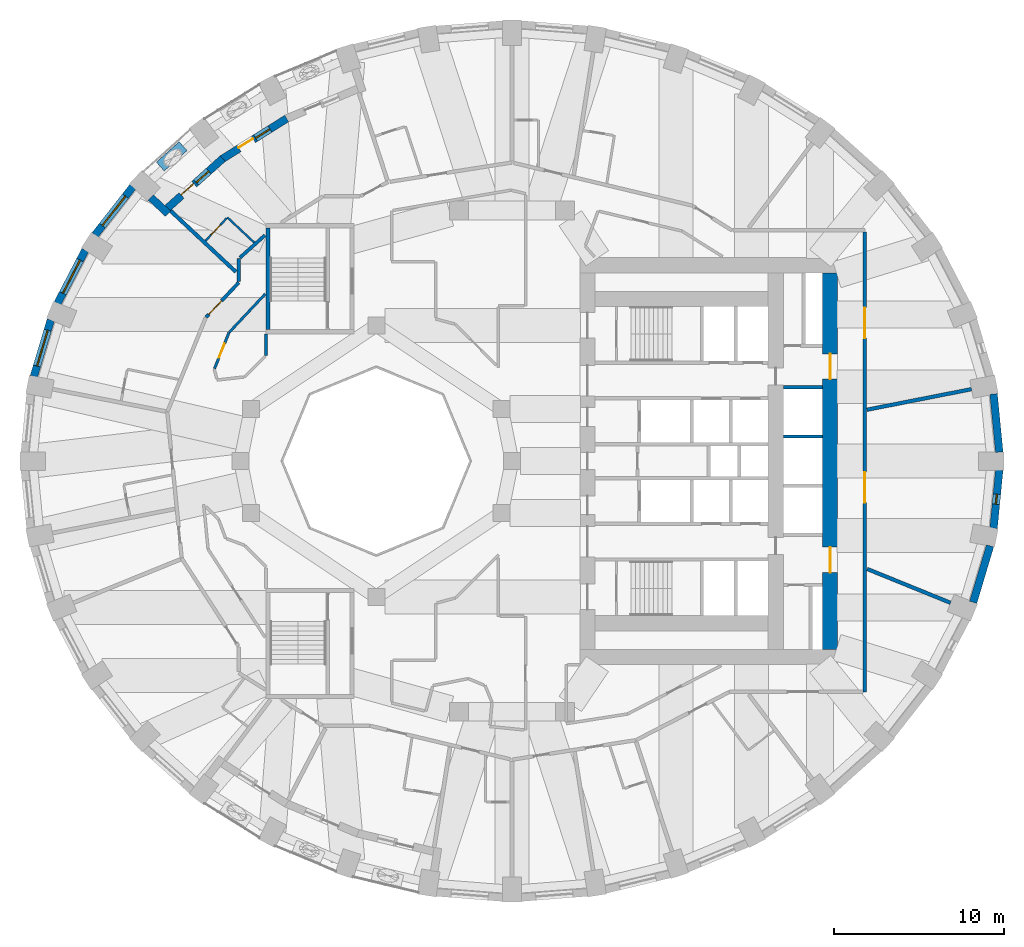
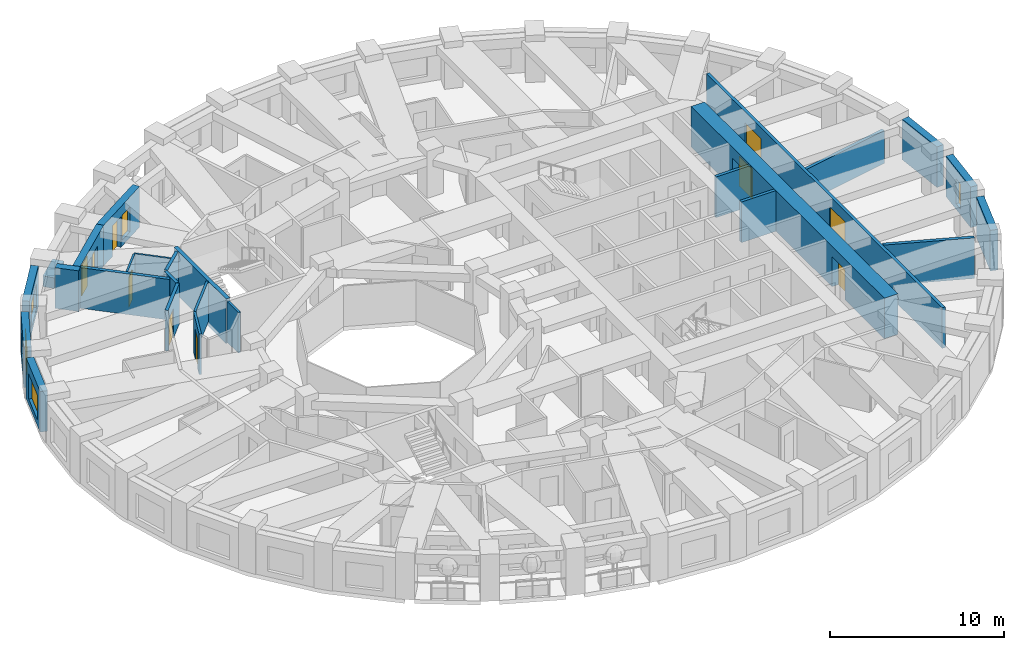
# One storey, part 7 of 13: 26 walls, 9 doors, 6 windows, 15 openings.
"""IFC4 building model written with IfcOpenShell, lengths in metres."""

import ifcopenshell
import ifcopenshell.guid

model = None  # the IFC model being written
_history = None  # IfcOwnerHistory: only IFC2X3 demands one
_inside = {}  # id of a spatial element -> (the spatial element, [elements in it])
_under = {}  # id of a project, library or spatial element -> (it, [spatial elements below it])
_declared = {}  # id of a project -> (the project, [libraries it declares])
_typed = {}  # id of a type object -> (the type object, [elements of that type])
_made_of = {}  # id of a material, layer set ... -> (it, [elements and type objects made of it])


def new_model(schema):
    """Start an empty IFC model of exactly this schema.

    Asked for "IFC4X3", IfcOpenShell would pick the latest addendum, in which some entities
    have other attributes; the version numbers below select the first issue.
    IFC2X3 requires an IfcOwnerHistory on every rooted entity: one is made here for all.
    """
    global model, _history
    if schema == "IFC4X3":
        model = ifcopenshell.file(schema_version=(4, 3, 0, 0))
    else:
        model = ifcopenshell.file(schema=schema)
    _inside.clear()
    _under.clear()
    _declared.clear()
    _typed.clear()
    _made_of.clear()
    _history = None
    if model.schema == "IFC2X3":
        org = make("IfcOrganization", Name="unknown")
        user = make(
            "IfcPersonAndOrganization",
            ThePerson=make("IfcPerson", FamilyName="unknown"),
            TheOrganization=org,
        )
        app = make(
            "IfcApplication",
            ApplicationDeveloper=org,
            Version="unknown",
            ApplicationFullName="unknown",
            ApplicationIdentifier="unknown",
        )
        _history = make(
            "IfcOwnerHistory",
            OwningUser=user,
            OwningApplication=app,
            ChangeAction="ADDED",
            CreationDate=0,
        )
    return model


def make(cls, **values):
    """One entity of the class cls with the attributes given. An attribute that is None is left unset."""
    return model.create_entity(
        cls, **{name: value for name, value in values.items() if value is not None}
    )


def rooted(cls, **values):
    """An entity with a GlobalId (a new one), such as an element, a storey or a relation."""
    return make(cls, GlobalId=ifcopenshell.guid.new(), OwnerHistory=_history, **values)


def si_unit(unit_type, name, prefix=None):
    """IfcSIUnit, for example si_unit("LENGTHUNIT", "METRE", prefix="MILLI")."""
    return make("IfcSIUnit", UnitType=unit_type, Prefix=prefix, Name=name)


def assignment(units):
    """IfcUnitAssignment: the units of a project."""
    return None if units is None else make("IfcUnitAssignment", Units=units)


def point(xyz):
    """IfcCartesianPoint."""
    return None if xyz is None else make("IfcCartesianPoint", Coordinates=xyz)


def direction(xyz):
    """IfcDirection."""
    return None if xyz is None else make("IfcDirection", DirectionRatios=xyz)


def frame(location, z_axis=None, x_axis=None):
    """IfcAxis2Placement3D, a coordinate frame: its origin and axes. An axis left out is left unset."""
    return make(
        "IfcAxis2Placement3D",
        Location=point(location),
        Axis=direction(z_axis),
        RefDirection=direction(x_axis),
    )


def frame_2d(location, x_axis=None):
    """IfcAxis2Placement2D, a coordinate frame in the plane: its origin and x axis."""
    return make(
        "IfcAxis2Placement2D", Location=point(location), RefDirection=direction(x_axis)
    )


def origin():
    """The frame at (0, 0, 0) with its axes left unset."""
    return frame((0.0, 0.0, 0.0))


def place(relative_to, where):
    """IfcLocalPlacement: puts the frame where relative to a parent placement (None: the world)."""
    return make(
        "IfcLocalPlacement", PlacementRelTo=relative_to, RelativePlacement=where
    )


def context(
    kind, dimensions, precision=None, world=None, true_north=None, identifier=None
):
    """IfcGeometricRepresentationContext, for example the 3D "Model" context."""
    return make(
        "IfcGeometricRepresentationContext",
        ContextIdentifier=identifier,
        ContextType=kind,
        CoordinateSpaceDimension=dimensions,
        Precision=precision,
        WorldCoordinateSystem=world,
        TrueNorth=true_north,
    )


def subcontext(parent, identifier, kind, view, scale=None):
    """IfcGeometricRepresentationSubContext, for example "Body" below "Model"."""
    return make(
        "IfcGeometricRepresentationSubContext",
        ContextIdentifier=identifier,
        ContextType=kind,
        ParentContext=parent,
        TargetScale=scale,
        TargetView=view,
    )


def project(units=None, contexts=None):
    """IfcProject with its units and contexts."""
    return rooted(
        "IfcProject",
        Name="project",
        RepresentationContexts=contexts,
        UnitsInContext=assignment(units),
    )


def spatial(cls, under=None, at=None, **own):
    """A site, building, storey or space (cls), placed at a placement, below another one or the project."""
    s = rooted(cls, ObjectPlacement=at, **own)
    if under is not None:
        _under.setdefault(under.id(), (under, []))[1].append(s)
    return s


def profile(cls, at=None, kind="AREA", **sizes):
    """A parametric profile (cls). Its sizes go by their IFC names, for example OverallWidth=200.0."""
    return make(cls, ProfileType=kind, Position=at, **sizes)


def rectangle(**sizes):
    """IfcRectangleProfileDef."""
    return profile("IfcRectangleProfileDef", **sizes)


def extrude(swept, where, along, depth):
    """IfcExtrudedAreaSolid: the profile swept, set in the frame where, extruded along a direction by depth."""
    return make(
        "IfcExtrudedAreaSolid",
        SweptArea=swept,
        Position=where,
        ExtrudedDirection=direction(along),
        Depth=depth,
    )


def shape(context_of_items, identifier, shape_type, items):
    """IfcShapeRepresentation: the items that make up one representation, for example the "Body"."""
    return make(
        "IfcShapeRepresentation",
        ContextOfItems=context_of_items,
        RepresentationIdentifier=identifier,
        RepresentationType=shape_type,
        Items=items,
    )


def material(Name=None, Category=None):
    """IfcMaterial."""
    return make("IfcMaterial", Name=Name, Category=Category)


def layer(
    of_material, thickness, ventilated=None, Name=None, Category=None, Priority=None
):
    """IfcMaterialLayer: one layer of a wall or slab, of a material (None: an air gap)."""
    return make(
        "IfcMaterialLayer",
        Material=of_material,
        LayerThickness=thickness,
        IsVentilated=ventilated,
        Name=Name,
        Category=Category,
        Priority=Priority,
    )


def layer_set(layers, Name=None):
    """IfcMaterialLayerSet."""
    return make("IfcMaterialLayerSet", MaterialLayers=layers, LayerSetName=Name)


def constituent(of_material, Name=None, Category=None, fraction=None):
    """IfcMaterialConstituent: one of the materials an element consists of."""
    return make(
        "IfcMaterialConstituent",
        Name=Name,
        Material=of_material,
        Fraction=fraction,
        Category=Category,
    )


def constituent_set(constituents=None, Name=None):
    """IfcMaterialConstituentSet."""
    return make(
        "IfcMaterialConstituentSet", Name=Name, MaterialConstituents=constituents
    )


def made_of(thing, what):
    """Note that an element or type object is made of a material, layer set ...; save() writes the relation."""
    if what is not None:
        _made_of.setdefault(what.id(), (what, []))[1].append(thing)
    return thing


def type_object(cls, material=None, **own):
    """A type object (cls), such as IfcWallType, which elements share."""
    return made_of(rooted(cls, **own), material)


def element(
    cls,
    number,
    at=None,
    inside=None,
    cuts=None,
    type_object=None,
    material=None,
    context=None,
    identifier="Body",
    shape_type=None,
    held_by="IfcProductDefinitionShape",
    body=None,
    shapes=None,
    **own,
):
    """One element of the class cls, such as IfcWall. Its Tag is "e" and its number.

    at: its placement. inside: the storey or other place that contains it. cuts: it is an
    opening in that element (IfcRelVoidsElement). A single representation is given by context,
    identifier, shape_type and body (its items); several are given by shapes. held_by: the class
    of the entity that holds the representations. save() writes the other relations.
    """
    e = rooted(cls, Tag="e%d" % number, ObjectPlacement=at, **own)
    if body is not None:
        shapes = [shape(context, identifier, shape_type, body)]
    if shapes is not None:
        e.Representation = make(held_by, Representations=shapes)
    if inside is not None:
        _inside.setdefault(inside.id(), (inside, []))[1].append(e)
    if cuts is not None:
        rooted(
            "IfcRelVoidsElement", RelatingBuildingElement=cuts, RelatedOpeningElement=e
        )
    if type_object is not None:
        _typed.setdefault(type_object.id(), (type_object, []))[1].append(e)
    return made_of(e, material)


def fill(opening, filler):
    """IfcRelFillsElement: the door or window that sits in an opening."""
    return rooted(
        "IfcRelFillsElement",
        RelatingOpeningElement=opening,
        RelatedBuildingElement=filler,
    )


def aggregate(whole, parts):
    """IfcRelAggregates: a whole, such as a stair, and the parts it consists of."""
    return rooted("IfcRelAggregates", RelatingObject=whole, RelatedObjects=parts)


def save(model, path):
    """Write the relations noted so far, then the file.

    IfcRelAggregates (storeys below a building ...), IfcRelContainedInSpatialStructure (elements
    in a storey), IfcRelDefinesByType, IfcRelAssociatesMaterial and IfcRelDeclares: one each for
    every whole, place, type object, material and project.
    """
    for whole, parts in _under.values():
        aggregate(whole, parts)
    for where, things in _inside.values():
        rooted(
            "IfcRelContainedInSpatialStructure",
            RelatedElements=things,
            RelatingStructure=where,
        )
    for kind, things in _typed.values():
        rooted("IfcRelDefinesByType", RelatedObjects=things, RelatingType=kind)
    for what, things in _made_of.values():
        rooted("IfcRelAssociatesMaterial", RelatedObjects=things, RelatingMaterial=what)
    for by, libraries in _declared.values():
        rooted("IfcRelDeclares", RelatingContext=by, RelatedDefinitions=libraries)
    model.write(path)


model = new_model("IFC4")

# Units and contexts
model_context = context("Model", 3, precision=1e-05, world=origin(), true_north=direction((0.0, 1.0)))
body_context = subcontext(model_context, "Body", "Model", "MODEL_VIEW")
ifc_project = project(units=[si_unit("LENGTHUNIT", "METRE"), si_unit("AREAUNIT", "SQUARE_METRE"), si_unit("VOLUMEUNIT", "CUBIC_METRE"), si_unit("PLANEANGLEUNIT", "RADIAN"), si_unit("MASSUNIT", "GRAM", prefix="KILO")], contexts=[model_context])

# Site, building, storey
site_placement = place(None, origin())
site = spatial("IfcSite", under=ifc_project, at=site_placement, CompositionType="ELEMENT")
building_placement = place(site_placement, origin())
building = spatial("IfcBuilding", under=site, at=building_placement, Name="Taillehof Tower", CompositionType="ELEMENT")
storey_placement = place(building_placement, frame((0.0, 0.0, 81.10009765625)))
storey = spatial("IfcBuildingStorey", under=building, at=storey_placement, Name="L22", CompositionType="ELEMENT", Elevation=81.10009765625)

# Wall
ifc_material_1 = material(Name="Brick masonry", Category="masonry")
ifc_layer_1 = layer(ifc_material_1, 0.449951171875)
ifc_layer_set_1 = layer_set([ifc_layer_1], Name="Brick infill wall 450")
wall_type_1 = type_object("IfcWallType", Name="Brick infill wall 450", PredefinedType="SOLIDWALL", material=ifc_layer_set_1)
wall_1_placement = place(storey_placement, frame((28.721923828125, 0.530029296875, 0.0), z_axis=(0.0, 0.0, 1.0), x_axis=(-0.097389581596, 0.995246336038, 0.0)))
element("IfcWall", 1, at=wall_1_placement, inside=storey, type_object=wall_type_1, Name="Brick wall L22 bay 1", PredefinedType="SOLIDWALL", context=body_context, shape_type="SweptSolid", body=[
    extrude(rectangle(XDim=3.44189453125, YDim=0.449951171875, at=frame_2d((1.720947265625, 0.0))), origin(), (0.0, 0.0, 1.0), 2.849853515625),
])

# Wall, opening, window
wall_2_placement = place(storey_placement, frame((-22.3515625, 16.169677734375, 0.0), z_axis=(0.0, 0.0, 1.0), x_axis=(-0.616661975264, -0.787228053529, 0.0)))
wall_2 = element("IfcWall", 2, at=wall_2_placement, inside=storey, type_object=wall_type_1, Name="Brick wall L22 bay 15", PredefinedType="SOLIDWALL", context=body_context, shape_type="SweptSolid", body=[
    extrude(rectangle(XDim=3.60986328125, YDim=0.449951171875, at=frame_2d((1.804931640625, 0.0))), origin(), (0.0, 0.0, 1.0), 2.849853515625),
])
opening_1_placement = place(wall_2_placement, frame((0.704833984375, 0.0, 0.39990234375)))
opening_1 = element("IfcOpeningElement", 3, at=opening_1_placement, cuts=wall_2, Name="Opening W1", PredefinedType="OPENING", context=body_context, shape_type="SweptSolid", body=[
    extrude(rectangle(XDim=2.199951171875, YDim=1.75, at=frame_2d((1.10009765625, 0.875))), frame((0.0, 0.23486328125, 0.0), z_axis=(0.0, -1.0, 0.0), x_axis=(1.0, 0.0, 0.0)), (0.0, 0.0, 1.0), 0.469970703125),
])
ifc_material_2 = material(Name="Aluminium window frame with clear double glazing", Category="aluminium")
window_type_1 = type_object("IfcWindowType", Name="Deep-set window 2200x1750", PartitioningType="SINGLE_PANEL", PredefinedType="WINDOW", material=ifc_material_2)
window_1_placement = place(opening_1_placement, origin())
window_1 = element("IfcWindow", 4, at=window_1_placement, inside=storey, type_object=window_type_1, Name="W1", OverallHeight=1.75, OverallWidth=2.199951171875, PartitioningType="SINGLE_PANEL", PredefinedType="WINDOW", context=body_context, shape_type="SweptSolid", body=[
    extrude(rectangle(XDim=2.199951171875, YDim=1.75, at=frame_2d((1.10009765625, 0.875))), frame((0.0, 0.034912109375, 0.0), z_axis=(0.0, -1.0, 0.0), x_axis=(1.0, 0.0, 0.0)), (0.0, 0.0, 1.0), 0.06005859375),
])
fill(opening_1, window_1)

wall_3_placement = place(storey_placement, frame((-25.152099609375, 12.436767578125, 0.0), z_axis=(0.0, 0.0, 1.0), x_axis=(-0.462492775226, -0.886623050041, 0.0)))
wall_3 = element("IfcWall", 5, at=wall_3_placement, inside=storey, type_object=wall_type_1, Name="Brick wall L22 bay 16", PredefinedType="SOLIDWALL", context=body_context, shape_type="SweptSolid", body=[
    extrude(rectangle(XDim=3.531982421875, YDim=0.449951171875, at=frame_2d((1.76611328125, 0.0))), origin(), (0.0, 0.0, 1.0), 2.849853515625),
])
opening_2_placement = place(wall_3_placement, frame((0.666015625, 0.0, 0.39990234375)))
opening_2 = element("IfcOpeningElement", 6, at=opening_2_placement, cuts=wall_3, Name="Opening W1", PredefinedType="OPENING", context=body_context, shape_type="SweptSolid", body=[
    extrude(rectangle(XDim=2.199951171875, YDim=1.75, at=frame_2d((1.10009765625, 0.875))), frame((0.0, 0.23486328125, 0.0), z_axis=(0.0, -1.0, 0.0), x_axis=(1.0, 0.0, 0.0)), (0.0, 0.0, 1.0), 0.469970703125),
])
window_2_placement = place(opening_2_placement, origin())
window_2 = element("IfcWindow", 7, at=window_2_placement, inside=storey, type_object=window_type_1, Name="W1", OverallHeight=1.75, OverallWidth=2.199951171875, PartitioningType="SINGLE_PANEL", PredefinedType="WINDOW", context=body_context, shape_type="SweptSolid", body=[
    extrude(rectangle(XDim=2.199951171875, YDim=1.75, at=frame_2d((1.10009765625, 0.875))), frame((0.0, 0.034912109375, 0.0), z_axis=(0.0, -1.0, 0.0), x_axis=(1.0, 0.0, 0.0)), (0.0, 0.0, 1.0), 0.06005859375),
])
fill(opening_2, window_2)

wall_4_placement = place(storey_placement, frame((-27.184814453125, 8.322998046875, 0.0), z_axis=(0.0, 0.0, 1.0), x_axis=(-0.287064133733, -0.957911364963, 0.0)))
wall_4 = element("IfcWall", 8, at=wall_4_placement, inside=storey, type_object=wall_type_1, Name="Brick wall L22 bay 17", PredefinedType="SOLIDWALL", context=body_context, shape_type="SweptSolid", body=[
    extrude(rectangle(XDim=3.473388671875, YDim=0.449951171875, at=frame_2d((1.73681640625, 0.0))), origin(), (0.0, 0.0, 1.0), 2.849853515625),
])
opening_3_placement = place(wall_4_placement, frame((0.63671875, 0.0, 0.39990234375)))
opening_3 = element("IfcOpeningElement", 9, at=opening_3_placement, cuts=wall_4, Name="Opening W1", PredefinedType="OPENING", context=body_context, shape_type="SweptSolid", body=[
    extrude(rectangle(XDim=2.199951171875, YDim=1.75, at=frame_2d((1.10009765625, 0.875))), frame((0.0, 0.23486328125, 0.0), z_axis=(0.0, -1.0, 0.0), x_axis=(1.0, 0.0, 0.0)), (0.0, 0.0, 1.0), 0.469970703125),
])
window_3_placement = place(opening_3_placement, origin())
window_3 = element("IfcWindow", 10, at=window_3_placement, inside=storey, type_object=window_type_1, Name="W1", OverallHeight=1.75, OverallWidth=2.199951171875, PartitioningType="SINGLE_PANEL", PredefinedType="WINDOW", context=body_context, shape_type="SweptSolid", body=[
    extrude(rectangle(XDim=2.199951171875, YDim=1.75, at=frame_2d((1.10009765625, 0.875))), frame((0.0, 0.034912109375, 0.0), z_axis=(0.0, -1.0, 0.0), x_axis=(1.0, 0.0, 0.0)), (0.0, 0.0, 1.0), 0.06005859375),
])
fill(opening_3, window_3)

# Wall
wall_5_placement = place(storey_placement, frame((27.184814453125, -8.322998046875, 0.0), z_axis=(0.0, 0.0, 1.0), x_axis=(0.287064133733, 0.957911364963, 0.0)))
element("IfcWall", 11, at=wall_5_placement, inside=storey, type_object=wall_type_1, Name="Brick wall L22 bay 35", PredefinedType="SOLIDWALL", context=body_context, shape_type="SweptSolid", body=[
    extrude(rectangle(XDim=3.473388671875, YDim=0.449951171875, at=frame_2d((1.73681640625, 0.0))), origin(), (0.0, 0.0, 1.0), 2.849853515625),
])

# Wall, opening, window
wall_6_placement = place(storey_placement, frame((28.38671875, -3.95556640625, 0.0), z_axis=(0.0, 0.0, 1.0), x_axis=(0.097389581596, 0.995246336038, 0.0)))
wall_6 = element("IfcWall", 12, at=wall_6_placement, inside=storey, type_object=wall_type_1, Name="Brick wall L22 bay 36", PredefinedType="SOLIDWALL", context=body_context, shape_type="SweptSolid", body=[
    extrude(rectangle(XDim=3.44189453125, YDim=0.449951171875, at=frame_2d((1.720947265625, 0.0))), origin(), (0.0, 0.0, 1.0), 2.849853515625),
])
opening_4_placement = place(wall_6_placement, frame((1.4208984375, 0.0, 0.39990234375)))
opening_4 = element("IfcOpeningElement", 13, at=opening_4_placement, cuts=wall_6, Name="Opening W6", PredefinedType="OPENING", context=body_context, shape_type="SweptSolid", body=[
    extrude(rectangle(XDim=0.60009765625, YDim=1.75, at=frame_2d((0.300048828125, 0.875))), frame((0.0, 0.23486328125, 0.0), z_axis=(0.0, -1.0, 0.0), x_axis=(1.0, 0.0, 0.0)), (0.0, 0.0, 1.0), 0.469970703125),
])
ifc_material_3 = material(Name="Aluminium window frame with clear double glazing", Category="aluminium")
window_type_2 = type_object("IfcWindowType", Name="Slot window 600x1750", PartitioningType="SINGLE_PANEL", PredefinedType="WINDOW", material=ifc_material_3)
window_4_placement = place(opening_4_placement, origin())
window_4 = element("IfcWindow", 14, at=window_4_placement, inside=storey, type_object=window_type_2, Name="W6", OverallHeight=1.75, OverallWidth=0.60009765625, PartitioningType="SINGLE_PANEL", PredefinedType="WINDOW", context=body_context, shape_type="SweptSolid", body=[
    extrude(rectangle(XDim=0.60009765625, YDim=1.75, at=frame_2d((0.300048828125, 0.875))), frame((0.0, 0.034912109375, 0.0), z_axis=(0.0, -1.0, 0.0), x_axis=(1.0, 0.0, 0.0)), (0.0, 0.0, 1.0), 0.06005859375),
])
fill(opening_4, window_4)

# Wall
wall_7_placement = place(storey_placement, frame((-21.289306640625, 15.53759765625, 0.0), z_axis=(0.0, 0.0, 1.0), x_axis=(0.730149942784, -0.683286953668, 0.0)))
element("IfcWall", 15, at=wall_7_placement, inside=storey, type_object=wall_type_1, Name="Brick reveal L22 pocket 3", PredefinedType="SOLIDWALL", context=body_context, shape_type="SweptSolid", body=[
    extrude(rectangle(XDim=1.390869140625, YDim=0.449951171875, at=frame_2d((0.6953125, 0.0))), origin(), (0.0, 0.0, 1.0), 2.849853515625),
])

# Wall, openings, door, window
wall_8_placement = place(storey_placement, frame((-13.277099609375, 20.194580078125, 0.0), z_axis=(0.0, 0.0, 1.0), x_axis=(-0.846976005863, -0.531631117874, 0.0)))
wall_8 = element("IfcWall", 16, at=wall_8_placement, inside=storey, type_object=wall_type_1, Name="Brick wall L22 pocket bay 13", PredefinedType="SOLIDWALL", context=body_context, shape_type="SweptSolid", body=[
    extrude(rectangle(XDim=4.488037109375, YDim=0.449951171875, at=frame_2d((2.244140625, 0.0))), origin(), (0.0, 0.0, 1.0), 2.849853515625),
])
opening_5_placement = place(wall_8_placement, frame((1.1689453125, 0.0, 0.39990234375)))
opening_5 = element("IfcOpeningElement", 17, at=opening_5_placement, cuts=wall_8, Name="Opening W5", PredefinedType="OPENING", context=body_context, shape_type="SweptSolid", body=[
    extrude(rectangle(XDim=1.0, YDim=1.75, at=frame_2d((0.5, 0.875))), frame((0.0, 0.23486328125, 0.0), z_axis=(0.0, -1.0, 0.0), x_axis=(1.0, 0.0, 0.0)), (0.0, 0.0, 1.0), 0.469970703125),
])
opening_6_placement = place(wall_8_placement, frame((2.319091796875, 0.0, 0.0)))
opening_6 = element("IfcOpeningElement", 18, at=opening_6_placement, cuts=wall_8, Name="Opening D2292", PredefinedType="OPENING", context=body_context, shape_type="SweptSolid", body=[
    extrude(rectangle(XDim=1.0, YDim=2.14990234375, at=frame_2d((0.5, 1.074951171875))), frame((0.0, 0.23486328125, 0.0), z_axis=(0.0, -1.0, 0.0), x_axis=(1.0, 0.0, 0.0)), (0.0, 0.0, 1.0), 0.469970703125),
])
ifc_material_4 = material(Name="Aluminium door frame with clear double glazing", Category="aluminium")
door_type_1 = type_object("IfcDoorType", Name="Balcony door 1000x2150", OperationType="SINGLE_SWING_RIGHT", PredefinedType="DOOR", material=ifc_material_4)
door_1_placement = place(opening_6_placement, frame((1.0, 0.0, 0.0), z_axis=(0.0, 0.0, 1.0), x_axis=(-1.0, 0.0, 0.0)))
door_1 = element("IfcDoor", 19, at=door_1_placement, inside=storey, type_object=door_type_1, Name="Balcony door L22 bay 13", OperationType="SINGLE_SWING_LEFT", OverallHeight=2.14990234375, OverallWidth=1.0, PredefinedType="DOOR", context=body_context, shape_type="SweptSolid", body=[
    extrude(rectangle(XDim=1.0, YDim=2.14990234375, at=frame_2d((0.5, 1.074951171875))), frame((0.0, 0.0751953125, 0.0), z_axis=(0.0, -1.0, 0.0), x_axis=(1.0, 0.0, 0.0)), (0.0, 0.0, 1.0), 0.050048828125),
])
fill(opening_6, door_1)
ifc_material_5 = material(Name="Aluminium window frame with clear double glazing", Category="aluminium")
window_type_3 = type_object("IfcWindowType", Name="Fixed window 1000x1750", PartitioningType="SINGLE_PANEL", PredefinedType="WINDOW", material=ifc_material_5)
window_5_placement = place(opening_5_placement, origin())
window_5 = element("IfcWindow", 20, at=window_5_placement, inside=storey, type_object=window_type_3, Name="W5", OverallHeight=1.75, OverallWidth=1.0, PartitioningType="SINGLE_PANEL", PredefinedType="WINDOW", context=body_context, shape_type="SweptSolid", body=[
    extrude(rectangle(XDim=1.0, YDim=1.75, at=frame_2d((0.5, 0.875))), frame((0.0, 0.034912109375, 0.0), z_axis=(0.0, -1.0, 0.0), x_axis=(1.0, 0.0, 0.0)), (0.0, 0.0, 1.0), 0.06005859375),
])
fill(opening_5, window_5)

wall_9_placement = place(storey_placement, frame((-17.0478515625, 17.831787109375, 0.0), z_axis=(0.0, 0.0, 1.0), x_axis=(-0.744619286768, -0.667489413978, 0.0)))
wall_9 = element("IfcWall", 21, at=wall_9_placement, inside=storey, type_object=wall_type_1, Name="Brick wall L22 pocket bay 14", PredefinedType="SOLIDWALL", context=body_context, shape_type="SweptSolid", body=[
    extrude(rectangle(XDim=4.364990234375, YDim=0.449951171875, at=frame_2d((2.1826171875, 0.0))), origin(), (0.0, 0.0, 1.0), 2.849853515625),
])
opening_7_placement = place(wall_9_placement, frame((1.107421875, 0.0, 0.39990234375)))
opening_7 = element("IfcOpeningElement", 22, at=opening_7_placement, cuts=wall_9, Name="Opening W5", PredefinedType="OPENING", context=body_context, shape_type="SweptSolid", body=[
    extrude(rectangle(XDim=1.0, YDim=1.75, at=frame_2d((0.5, 0.875))), frame((0.0, 0.23486328125, 0.0), z_axis=(0.0, -1.0, 0.0), x_axis=(1.0, 0.0, 0.0)), (0.0, 0.0, 1.0), 0.469970703125),
])
opening_8_placement = place(wall_9_placement, frame((2.257568359375, 0.0, 0.0)))
opening_8 = element("IfcOpeningElement", 23, at=opening_8_placement, cuts=wall_9, Name="Opening D2293", PredefinedType="OPENING", context=body_context, shape_type="SweptSolid", body=[
    extrude(rectangle(XDim=1.0, YDim=2.14990234375, at=frame_2d((0.5, 1.074951171875))), frame((0.0, 0.23486328125, 0.0), z_axis=(0.0, -1.0, 0.0), x_axis=(1.0, 0.0, 0.0)), (0.0, 0.0, 1.0), 0.469970703125),
])
door_2_placement = place(opening_8_placement, frame((1.0, 0.0, 0.0), z_axis=(0.0, 0.0, 1.0), x_axis=(-1.0, 0.0, 0.0)))
door_2 = element("IfcDoor", 24, at=door_2_placement, inside=storey, type_object=door_type_1, Name="Balcony door L22 bay 14", OperationType="SINGLE_SWING_LEFT", OverallHeight=2.14990234375, OverallWidth=1.0, PredefinedType="DOOR", context=body_context, shape_type="SweptSolid", body=[
    extrude(rectangle(XDim=1.0, YDim=2.14990234375, at=frame_2d((0.5, 1.074951171875))), frame((0.0, 0.0751953125, 0.0), z_axis=(0.0, -1.0, 0.0), x_axis=(1.0, 0.0, 0.0)), (0.0, 0.0, 1.0), 0.050048828125),
])
fill(opening_8, door_2)
window_6_placement = place(opening_7_placement, origin())
window_6 = element("IfcWindow", 25, at=window_6_placement, inside=storey, type_object=window_type_3, Name="W5", OverallHeight=1.75, OverallWidth=1.0, PartitioningType="SINGLE_PANEL", PredefinedType="WINDOW", context=body_context, shape_type="SweptSolid", body=[
    extrude(rectangle(XDim=1.0, YDim=1.75, at=frame_2d((0.5, 0.875))), frame((0.0, 0.034912109375, 0.0), z_axis=(0.0, -1.0, 0.0), x_axis=(1.0, 0.0, 0.0)), (0.0, 0.0, 1.0), 0.06005859375),
])
fill(opening_7, window_6)

# Wall, opening, door
ifc_material_6 = material(Name="Gypsum board on steel studs, two layers each side", Category="steel")
ifc_layer_2 = layer(ifc_material_6, 0.199951171875)
ifc_layer_set_2 = layer_set([ifc_layer_2], Name="Compartment wall corridor 200")
wall_type_2 = type_object("IfcWallType", Name="Compartment wall corridor 200", PredefinedType="PARTITIONING", material=ifc_layer_set_2)
wall_10_placement = place(storey_placement, frame((-18.025146484375, 8.4814453125, 0.0), z_axis=(0.0, 0.0, 1.0), x_axis=(0.684446266357, 0.729063308958, 0.0)))
wall_10 = element("IfcWall", 26, at=wall_10_placement, inside=storey, type_object=wall_type_2, Name="Compartment wall", PredefinedType="PARTITIONING", context=body_context, shape_type="SweptSolid", body=[
    extrude(rectangle(XDim=2.8125, YDim=0.199951171875, at=frame_2d((1.40625, 0.0))), origin(), (0.0, 0.0, 1.0), 2.849853515625),
])
opening_9_placement = place(wall_10_placement, frame((0.219970703125, 0.0, 0.0)))
opening_9 = element("IfcOpeningElement", 27, at=opening_9_placement, cuts=wall_10, Name="Opening D2248", PredefinedType="OPENING", context=body_context, shape_type="SweptSolid", body=[
    extrude(rectangle(XDim=1.10009765625, YDim=2.10009765625, at=frame_2d((0.550048828125, 1.050048828125))), frame((0.0, 0.10986328125, 0.0), z_axis=(0.0, -1.0, 0.0), x_axis=(1.0, 0.0, 0.0)), (0.0, 0.0, 1.0), 0.219970703125),
])
ifc_material_7 = material(Name="Timber door leaf in steel frame", Category="steel")
door_type_2 = type_object("IfcDoorType", Name="Suite entrance door EI 30 1100 x 2100", OperationType="SINGLE_SWING_LEFT", PredefinedType="DOOR", material=ifc_material_7)
door_3_placement = place(opening_9_placement, origin())
door_3 = element("IfcDoor", 28, at=door_3_placement, inside=storey, type_object=door_type_2, Name="D2248", OperationType="SINGLE_SWING_RIGHT", OverallHeight=2.10009765625, OverallWidth=1.10009765625, PredefinedType="DOOR", context=body_context, shape_type="SweptSolid", body=[
    extrude(rectangle(XDim=1.10009765625, YDim=2.10009765625, at=frame_2d((0.550048828125, 1.050048828125))), frame((0.0, 0.02490234375, 0.0), z_axis=(0.0, -1.0, 0.0), x_axis=(1.0, 0.0, 0.0)), (0.0, 0.0, 1.0), 0.050048828125),
])
fill(opening_9, door_3)

# Walls
wall_11_placement = place(storey_placement, frame((-16.10009765625, 10.592041015625, 0.0), z_axis=(0.0, 0.0, 1.0), x_axis=(0.0, 1.0, 0.0)))
element("IfcWall", 29, at=wall_11_placement, inside=storey, type_object=wall_type_2, Name="Compartment wall", PredefinedType="PARTITIONING", context=body_context, shape_type="SweptSolid", body=[
    extrude(rectangle(XDim=1.341064453125, YDim=0.199951171875, at=frame_2d((0.67041015625, 0.0))), origin(), (0.0, 0.0, 1.0), 2.849853515625),
])
wall_12_placement = place(storey_placement, frame((-16.04052734375, 11.98681640625, 0.0), z_axis=(0.0, 0.0, 1.0), x_axis=(0.744714584968, 0.66738308859, 0.0)))
element("IfcWall", 30, at=wall_12_placement, inside=storey, type_object=wall_type_2, Name="Compartment wall", PredefinedType="PARTITIONING", context=body_context, shape_type="SweptSolid", body=[
    extrude(rectangle(XDim=1.989013671875, YDim=0.199951171875, at=frame_2d((0.99462890625, 0.0))), origin(), (0.0, 0.0, 1.0), 2.849853515625),
])

# Wall, openings, doors
wall_13_placement = place(storey_placement, frame((20.800048828125, 13.5, 0.0), z_axis=(0.0, 0.0, 1.0), x_axis=(0.0, -1.0, 0.0)))
wall_13 = element("IfcWall", 31, at=wall_13_placement, inside=storey, type_object=wall_type_2, Name="Compartment wall", PredefinedType="PARTITIONING", context=body_context, shape_type="SweptSolid", body=[
    extrude(rectangle(XDim=27.10009765625, YDim=0.199951171875, at=frame_2d((13.550048828125, 0.0))), origin(), (0.0, 0.0, 1.0), 2.849853515625),
])
opening_10_placement = place(wall_13_placement, frame((14.148681640625, 0.0, 0.0)))
opening_10 = element("IfcOpeningElement", 32, at=opening_10_placement, cuts=wall_13, Name="Opening D2266", PredefinedType="OPENING", context=body_context, shape_type="SweptSolid", body=[
    extrude(rectangle(XDim=1.800048828125, YDim=2.10009765625, at=frame_2d((0.89990234375, 1.050048828125))), frame((0.0, 0.10986328125, 0.0), z_axis=(0.0, -1.0, 0.0), x_axis=(1.0, 0.0, 0.0)), (0.0, 0.0, 1.0), 0.219970703125),
])
opening_11_placement = place(wall_13_placement, frame((4.453857421875, 0.0, 0.0)))
opening_11 = element("IfcOpeningElement", 33, at=opening_11_placement, cuts=wall_13, Name="Opening D2267", PredefinedType="OPENING", context=body_context, shape_type="SweptSolid", body=[
    extrude(rectangle(XDim=1.800048828125, YDim=2.10009765625, at=frame_2d((0.89990234375, 1.050048828125))), frame((0.0, 0.10986328125, 0.0), z_axis=(0.0, -1.0, 0.0), x_axis=(1.0, 0.0, 0.0)), (0.0, 0.0, 1.0), 0.219970703125),
])
ifc_material_8 = material(Name="Timber door leaf in steel frame", Category="steel")
door_type_3 = type_object("IfcDoorType", Name="Lounge and meeting room double door EI 30 1800 x 2100", OperationType="SINGLE_SWING_LEFT", PredefinedType="DOOR", material=ifc_material_8)
door_4_placement = place(opening_10_placement, origin())
door_4 = element("IfcDoor", 34, at=door_4_placement, inside=storey, type_object=door_type_3, Name="D2266", OperationType="DOUBLE_DOOR_SINGLE_SWING", OverallHeight=2.10009765625, OverallWidth=1.800048828125, PredefinedType="DOOR", context=body_context, shape_type="SweptSolid", body=[
    extrude(rectangle(XDim=1.800048828125, YDim=2.10009765625, at=frame_2d((0.89990234375, 1.050048828125))), frame((0.0, 0.02490234375, 0.0), z_axis=(0.0, -1.0, 0.0), x_axis=(1.0, 0.0, 0.0)), (0.0, 0.0, 1.0), 0.050048828125),
])
fill(opening_10, door_4)
door_5_placement = place(opening_11_placement, origin())
door_5 = element("IfcDoor", 35, at=door_5_placement, inside=storey, type_object=door_type_3, Name="D2267", OperationType="DOUBLE_DOOR_SINGLE_SWING", OverallHeight=2.10009765625, OverallWidth=1.800048828125, PredefinedType="DOOR", context=body_context, shape_type="SweptSolid", body=[
    extrude(rectangle(XDim=1.800048828125, YDim=2.10009765625, at=frame_2d((0.89990234375, 1.050048828125))), frame((0.0, 0.02490234375, 0.0), z_axis=(0.0, -1.0, 0.0), x_axis=(1.0, 0.0, 0.0)), (0.0, 0.0, 1.0), 0.050048828125),
])
fill(opening_11, door_5)

# Walls
ifc_material_9 = material(Name="Gypsum board on double steel studs with mineral wool", Category="steel")
ifc_layer_3 = layer(ifc_material_9, 0.219970703125)
ifc_layer_set_3 = layer_set([ifc_layer_3], Name="Compartment wall guest room 220")
wall_type_3 = type_object("IfcWallType", Name="Compartment wall guest room 220", PredefinedType="PARTITIONING", material=ifc_layer_set_3)
wall_14_placement = place(storey_placement, frame((27.0849609375, 4.239990234375, 0.0), z_axis=(0.0, 0.0, 1.0), x_axis=(-0.981207724218, -0.192954403772, 0.0)))
element("IfcWall", 36, at=wall_14_placement, inside=storey, type_object=wall_type_3, Name="Compartment wall", PredefinedType="PARTITIONING", context=body_context, shape_type="SweptSolid", body=[
    extrude(rectangle(XDim=6.283447265625, YDim=0.219970703125, at=frame_2d((3.1416015625, 0.0))), origin(), (0.0, 0.0, 1.0), 2.2998046875),
])
wall_15_placement = place(storey_placement, frame((-20.13330078125, 14.763916015625, 0.0), z_axis=(0.0, 0.0, 1.0), x_axis=(0.730064043032, -0.68337873326, 0.0)))
element("IfcWall", 37, at=wall_15_placement, inside=storey, type_object=wall_type_3, Name="Compartment wall", PredefinedType="PARTITIONING", context=body_context, shape_type="SweptSolid", body=[
    extrude(rectangle(XDim=5.287109375, YDim=0.219970703125, at=frame_2d((2.6435546875, 0.0))), origin(), (0.0, 0.0, 1.0), 2.849853515625),
])
wall_16_placement = place(storey_placement, frame((25.851318359375, -8.35400390625, 0.0), z_axis=(0.0, 0.0, 1.0), x_axis=(-0.926546814299, 0.376179479653, 0.0)))
element("IfcWall", 38, at=wall_16_placement, inside=storey, type_object=wall_type_3, Name="Compartment wall", PredefinedType="PARTITIONING", context=body_context, shape_type="SweptSolid", body=[
    extrude(rectangle(XDim=5.3037109375, YDim=0.219970703125, at=frame_2d((2.65185546875, 0.0))), origin(), (0.0, 0.0, 1.0), 2.849853515625),
])
ifc_material_10 = material(Name="Gypsum board on steel studs, two layers each side", Category="steel")
ifc_layer_4 = layer(ifc_material_10, 0.14990234375)
ifc_layer_set_4 = layer_set([ifc_layer_4], Name="Compartment wall service room 150")
wall_type_4 = type_object("IfcWallType", Name="Compartment wall service room 150", PredefinedType="PARTITIONING", material=ifc_layer_set_4)
wall_17_placement = place(storey_placement, frame((-14.5, 7.5009765625, 0.0), z_axis=(0.0, 0.0, 1.0), x_axis=(0.0, -1.0, 0.0)))
element("IfcWall", 39, at=wall_17_placement, inside=storey, type_object=wall_type_4, Name="Compartment wall", PredefinedType="PARTITIONING", context=body_context, shape_type="SweptSolid", body=[
    extrude(rectangle(XDim=1.27294921875, YDim=0.14990234375, at=frame_2d((0.636474609375, 0.0))), origin(), (0.0, 0.0, 1.0), 2.849853515625),
])

# Wall, opening, door
wall_18_placement = place(storey_placement, frame((-17.533447265625, 5.452392578125, 0.0), z_axis=(0.0, 0.0, 1.0), x_axis=(0.372293007078, 0.928115249783, 0.0)))
wall_18 = element("IfcWall", 40, at=wall_18_placement, inside=storey, type_object=wall_type_4, Name="Compartment wall", PredefinedType="PARTITIONING", context=body_context, shape_type="SweptSolid", body=[
    extrude(rectangle(XDim=2.285400390625, YDim=0.14990234375, at=frame_2d((1.142578125, 0.0))), origin(), (0.0, 0.0, 1.0), 2.849853515625),
])
opening_12_placement = place(wall_18_placement, frame((0.692626953125, 0.0, 0.0)))
opening_12 = element("IfcOpeningElement", 41, at=opening_12_placement, cuts=wall_18, Name="Opening D2270", PredefinedType="OPENING", context=body_context, shape_type="SweptSolid", body=[
    extrude(rectangle(XDim=0.89990234375, YDim=2.10009765625, at=frame_2d((0.449951171875, 1.050048828125))), frame((0.0, 0.0849609375, 0.0), z_axis=(0.0, -1.0, 0.0), x_axis=(1.0, 0.0, 0.0)), (0.0, 0.0, 1.0), 0.169921875),
])
ifc_material_11 = material(Name="Timber door leaf in steel frame", Category="steel")
door_type_4 = type_object("IfcDoorType", Name="Service room door EI 30 900 x 2100", OperationType="SINGLE_SWING_LEFT", PredefinedType="DOOR", material=ifc_material_11)
door_6_placement = place(opening_12_placement, origin())
door_6 = element("IfcDoor", 42, at=door_6_placement, inside=storey, type_object=door_type_4, Name="D2270", OperationType="SINGLE_SWING_LEFT", OverallHeight=2.10009765625, OverallWidth=0.89990234375, PredefinedType="DOOR", context=body_context, shape_type="SweptSolid", body=[
    extrude(rectangle(XDim=0.89990234375, YDim=2.10009765625, at=frame_2d((0.449951171875, 1.050048828125))), frame((0.0, 0.02490234375, 0.0), z_axis=(0.0, -1.0, 0.0), x_axis=(1.0, 0.0, 0.0)), (0.0, 0.0, 1.0), 0.050048828125),
])
fill(opening_12, door_6)

# Wall
wall_19_placement = place(storey_placement, frame((-16.6689453125, 7.588134765625, 0.0), z_axis=(0.0, 0.0, 1.0), x_axis=(0.684493083222, 0.729019354353, 0.0)))
element("IfcWall", 43, at=wall_19_placement, inside=storey, type_object=wall_type_4, Name="Compartment wall", PredefinedType="PARTITIONING", context=body_context, shape_type="SweptSolid", body=[
    extrude(rectangle(XDim=3.103515625, YDim=0.14990234375, at=frame_2d((1.5517578125, 0.0))), origin(), (0.0, 0.0, 1.0), 2.849853515625),
])

# Wall, openings, doors
ifc_material_12 = material(Name="Concrete C80/95", Category="concrete")
ifc_layer_5 = layer(ifc_material_12, 0.89990234375)
ifc_layer_set_5 = layer_set([ifc_layer_5], Name="Core wall C80/95 900")
wall_type_5 = type_object("IfcWallType", Name="Core wall C80/95 900", PredefinedType="SHEAR", material=ifc_layer_set_5)
wall_20_placement = place(storey_placement, frame((18.75, -11.10009765625, 0.0), z_axis=(0.0, 0.0, 1.0), x_axis=(0.0, 1.0, 0.0)))
wall_20 = element("IfcWall", 44, at=wall_20_placement, inside=storey, type_object=wall_type_5, Name="Core wall CW02", PredefinedType="SHEAR", context=body_context, shape_type="SweptSolid", body=[
    extrude(rectangle(XDim=22.2001953125, YDim=0.89990234375, at=frame_2d((11.10009765625, 0.0))), origin(), (0.0, 0.0, 1.0), 2.849853515625),
])
opening_13_placement = place(wall_20_placement, frame((15.925048828125, 0.0, 0.0)))
opening_13 = element("IfcOpeningElement", 45, at=opening_13_placement, cuts=wall_20, Name="Opening D2208", PredefinedType="OPENING", context=body_context, shape_type="SweptSolid", body=[
    extrude(rectangle(XDim=1.5, YDim=2.10009765625, at=frame_2d((0.75, 1.050048828125))), frame((0.0, 0.4599609375, 0.0), z_axis=(0.0, -1.0, 0.0), x_axis=(1.0, 0.0, 0.0)), (0.0, 0.0, 1.0), 0.919921875),
])
opening_14_placement = place(wall_20_placement, frame((4.52490234375, 0.0, 0.0)))
opening_14 = element("IfcOpeningElement", 46, at=opening_14_placement, cuts=wall_20, Name="Opening D2209", PredefinedType="OPENING", context=body_context, shape_type="SweptSolid", body=[
    extrude(rectangle(XDim=1.5, YDim=2.10009765625, at=frame_2d((0.75, 1.050048828125))), frame((0.0, 0.4599609375, 0.0), z_axis=(0.0, -1.0, 0.0), x_axis=(1.0, 0.0, 0.0)), (0.0, 0.0, 1.0), 0.919921875),
])
ifc_material_13 = material(Name="Steel-faced fire door", Category="steel")
door_type_5 = type_object("IfcDoorType", Name="Lift lobby east door 1500x2100", OperationType="DOUBLE_DOOR_SINGLE_SWING", PredefinedType="DOOR", material=ifc_material_13)
door_7_placement = place(opening_13_placement, origin())
door_7 = element("IfcDoor", 47, at=door_7_placement, inside=storey, type_object=door_type_5, Name="Lift lobby east door north", OperationType="DOUBLE_DOOR_SINGLE_SWING", OverallHeight=2.10009765625, OverallWidth=1.5, PredefinedType="DOOR", context=body_context, shape_type="SweptSolid", body=[
    extrude(rectangle(XDim=1.5, YDim=2.10009765625, at=frame_2d((0.75, 1.050048828125))), frame((0.0, 0.02490234375, 0.0), z_axis=(0.0, -1.0, 0.0), x_axis=(1.0, 0.0, 0.0)), (0.0, 0.0, 1.0), 0.050048828125),
])
fill(opening_13, door_7)
door_8_placement = place(opening_14_placement, origin())
door_8 = element("IfcDoor", 48, at=door_8_placement, inside=storey, type_object=door_type_5, Name="Lift lobby east door south", OperationType="DOUBLE_DOOR_SINGLE_SWING", OverallHeight=2.10009765625, OverallWidth=1.5, PredefinedType="DOOR", context=body_context, shape_type="SweptSolid", body=[
    extrude(rectangle(XDim=1.5, YDim=2.10009765625, at=frame_2d((0.75, 1.050048828125))), frame((0.0, 0.02490234375, 0.0), z_axis=(0.0, -1.0, 0.0), x_axis=(1.0, 0.0, 0.0)), (0.0, 0.0, 1.0), 0.050048828125),
])
fill(opening_14, door_8)

# Wall
ifc_material_14 = material(Name="Gypsum board on steel studs, moisture resistant", Category="steel")
ifc_layer_6 = layer(ifc_material_14, 0.1201171875)
ifc_layer_set_6 = layer_set([ifc_layer_6], Name="En-suite wall 120")
wall_type_6 = type_object("IfcWallType", Name="En-suite wall 120", PredefinedType="PARTITIONING", material=ifc_layer_set_6)
wall_21_placement = place(storey_placement, frame((-15.193603515625, 12.8798828125, 0.0), z_axis=(0.0, 0.0, 1.0), x_axis=(-0.730070370792, 0.683371973153, 0.0)))
element("IfcWall", 49, at=wall_21_placement, inside=storey, type_object=wall_type_6, Name="En-suite wall", PredefinedType="PARTITIONING", context=body_context, shape_type="SweptSolid", body=[
    extrude(rectangle(XDim=2.169677734375, YDim=0.1201171875, at=frame_2d((1.0849609375, 0.0))), origin(), (0.0, 0.0, 1.0), 2.849853515625),
])

# Wall, opening, door
wall_22_placement = place(storey_placement, frame((-16.818603515625, 14.318603515625, 0.0), z_axis=(0.0, 0.0, 1.0), x_axis=(-0.683372850006, -0.730069550026, 0.0)))
wall_22 = element("IfcWall", 50, at=wall_22_placement, inside=storey, type_object=wall_type_6, Name="En-suite wall", PredefinedType="PARTITIONING", context=body_context, shape_type="SweptSolid", body=[
    extrude(rectangle(XDim=1.829833984375, YDim=0.1201171875, at=frame_2d((0.9150390625, 0.0))), origin(), (0.0, 0.0, 1.0), 2.849853515625),
])
opening_15_placement = place(wall_22_placement, frame((0.539794921875, 0.0, 0.0)))
opening_15 = element("IfcOpeningElement", 51, at=opening_15_placement, cuts=wall_22, Name="Opening D2247", PredefinedType="OPENING", context=body_context, shape_type="SweptSolid", body=[
    extrude(rectangle(XDim=0.800048828125, YDim=2.10009765625, at=frame_2d((0.39990234375, 1.050048828125))), frame((0.0, 0.070068359375, 0.0), z_axis=(0.0, -1.0, 0.0), x_axis=(1.0, 0.0, 0.0)), (0.0, 0.0, 1.0), 0.14013671875),
])
ifc_material_15 = material(Name="Timber door leaf in steel frame", Category="steel")
door_type_6 = type_object("IfcDoorType", Name="En-suite door 800 x 2100", OperationType="SINGLE_SWING_LEFT", PredefinedType="DOOR", material=ifc_material_15)
door_9_placement = place(opening_15_placement, origin())
door_9 = element("IfcDoor", 52, at=door_9_placement, inside=storey, type_object=door_type_6, Name="D2247", OperationType="SINGLE_SWING_LEFT", OverallHeight=2.10009765625, OverallWidth=0.800048828125, PredefinedType="DOOR", context=body_context, shape_type="SweptSolid", body=[
    extrude(rectangle(XDim=0.800048828125, YDim=2.10009765625, at=frame_2d((0.39990234375, 1.050048828125))), frame((0.0, 0.02490234375, 0.0), z_axis=(0.0, -1.0, 0.0), x_axis=(1.0, 0.0, 0.0)), (0.0, 0.0, 1.0), 0.050048828125),
])
fill(opening_15, door_9)

# Walls
ifc_material_16 = material(Name="Concrete C30/37 precast", Category="concrete")
ifc_constituent_1 = constituent(ifc_material_16, Name="Structure", Category="concrete")
ifc_material_17 = material(Name="Insulated lining")
ifc_constituent_2 = constituent(ifc_material_17, Name="Lining")
ifc_constituent_set = constituent_set(constituents=[ifc_constituent_1, ifc_constituent_2], Name="Planter trough 700x750")
wall_type_7 = type_object("IfcWallType", Name="Planter trough 700x750", PredefinedType="USERDEFINED", material=ifc_constituent_set)
wall_23_placement = place(storey_placement, frame((-19.387939453125, 18.562255859375, 0.0), z_axis=(0.0, 0.0, 1.0), x_axis=(-0.745535653445, -0.666465745139, 0.0)))
element("IfcWall", 53, at=wall_23_placement, inside=storey, type_object=wall_type_7, Name="Planter L22 bay 14", ObjectType="PLANTER", PredefinedType="USERDEFINED", context=body_context, shape_type="SweptSolid", body=[
    extrude(rectangle(XDim=1.800048828125, YDim=0.699951171875, at=frame_2d((0.89990234375, 0.0))), origin(), (0.0, 0.0, 1.0), 0.75),
])
ifc_material_18 = material(Name="Concrete C50/60", Category="concrete")
ifc_layer_7 = layer(ifc_material_18, 0.199951171875)
ifc_layer_set_7 = layer_set([ifc_layer_7], Name="Shaft wall C50/60 200")
wall_type_8 = type_object("IfcWallType", Name="Shaft wall C50/60 200", PredefinedType="SHEAR", material=ifc_layer_set_7)
for number, where, z_axis, x_axis, name in (
    (54, (16.0, 1.449951171875, 0.0), (0.0, 0.0, 1.0), (1.0, 0.0, 0.0), "Shaft wall SW"),
    (55, (16.0, 4.35009765625, 0.0), (0.0, 0.0, 1.0), (1.0, 0.0, 0.0), "Shaft wall SW"),
):
    element("IfcWall", number, at=place(storey_placement, frame(where, z_axis=z_axis, x_axis=x_axis)), inside=storey, type_object=wall_type_8, Name=name, PredefinedType="SHEAR", context=body_context, shape_type="SweptSolid", body=[
        extrude(rectangle(XDim=2.300048828125, YDim=0.199951171875, at=frame_2d((1.14990234375, 0.0))), origin(), (0.0, 0.0, 1.0), 2.849853515625),
    ])
ifc_material_19 = material(Name="Concrete C50/60", Category="concrete")
ifc_layer_8 = layer(ifc_material_19, 0.25)
ifc_layer_set_8 = layer_set([ifc_layer_8], Name="Stair wall C50/60 250")
wall_type_9 = type_object("IfcWallType", Name="Stair wall C50/60 250", PredefinedType="SHEAR", material=ifc_layer_set_8)
wall_24_placement = place(storey_placement, frame((-14.375, 7.75, -0.280029296875), z_axis=(0.0, 0.0, 1.0), x_axis=(0.0, 1.0, 0.0)))
element("IfcWall", 56, at=wall_24_placement, inside=storey, type_object=wall_type_9, Name="Stair wall SC", PredefinedType="SHEAR", context=body_context, shape_type="SweptSolid", body=[
    extrude(rectangle(XDim=6.0, YDim=0.25, at=frame_2d((3.0, 0.0))), origin(), (0.0, 0.0, 1.0), 3.1298828125),
])

save(model, "model.ifc")
